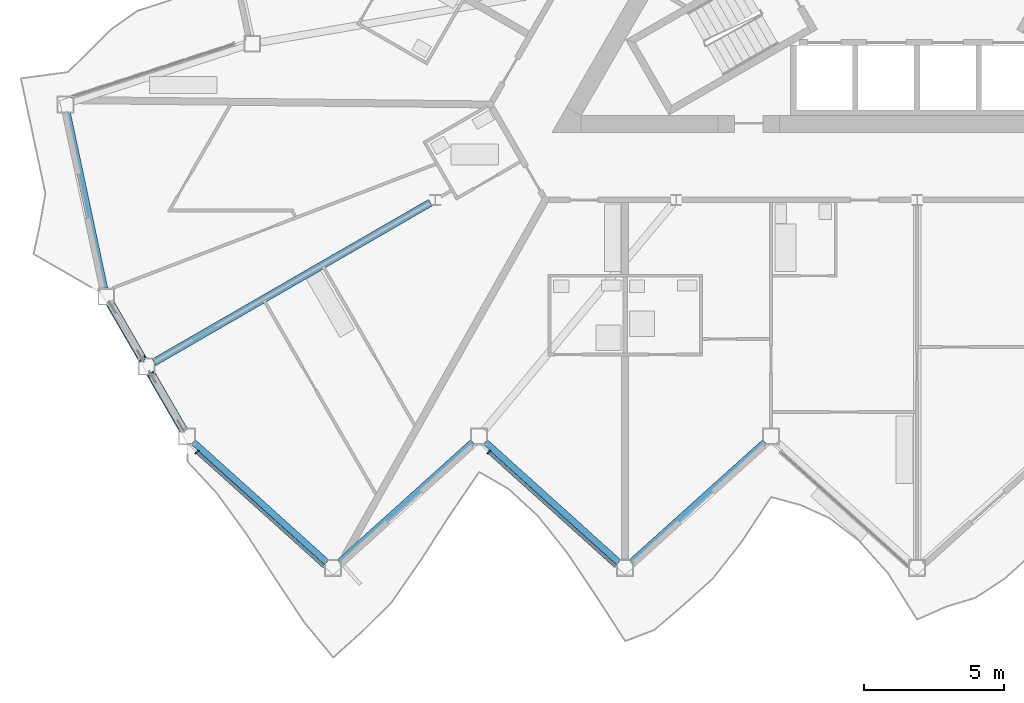
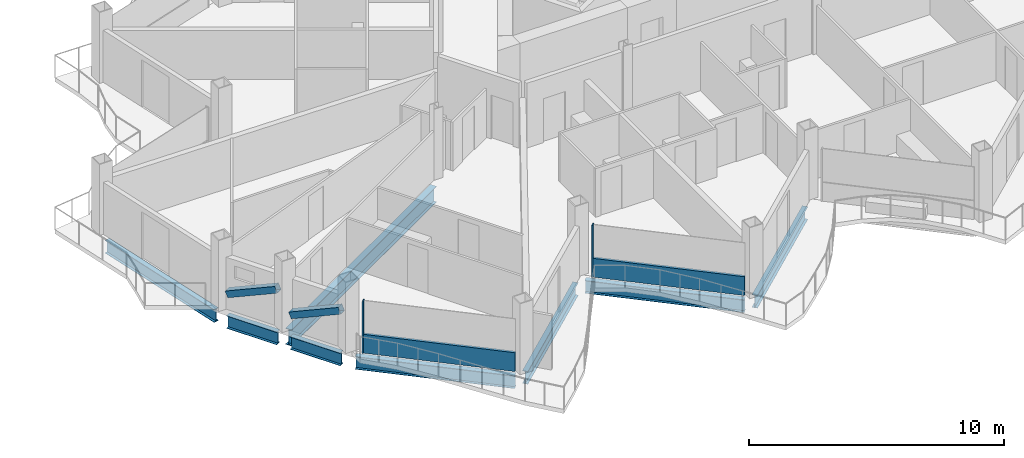
# One storey, part 4 of 27: 8 beams, 6 members, 2 elements without a shape of their own.
"""IFC4 building model written with IfcOpenShell, lengths in metres."""

from ifc_helpers import new_model, si_unit, direction, frame, origin, origin_2d, place, context, subcontext, project, spatial, rectangle, hollow_rectangle, i_section, extrude, material, layer, layer_set, material_profile, profile_set, type_object, element, aggregate, save


model = new_model("IFC4")

# Units and contexts
model_context = context("Model", 3, precision=1e-05, world=origin(), true_north=direction((0.0, 1.0)))
body_context = subcontext(model_context, "Body", "Model", "MODEL_VIEW")
ifc_project = project(units=[si_unit("LENGTHUNIT", "METRE"), si_unit("AREAUNIT", "SQUARE_METRE"), si_unit("VOLUMEUNIT", "CUBIC_METRE"), si_unit("PLANEANGLEUNIT", "RADIAN"), si_unit("MASSUNIT", "GRAM", prefix="KILO")], contexts=[model_context])

# Site, building, storey
site_placement = place(None, origin())
site = spatial("IfcSite", under=ifc_project, at=site_placement, CompositionType="ELEMENT")
building_placement = place(site_placement, origin())
building = spatial("IfcBuilding", under=site, at=building_placement, Name="Cormorant Prow Tower", CompositionType="ELEMENT")
storey_placement = place(building_placement, frame((0.0, 0.0, 335.800048828125)))
storey = spatial("IfcBuildingStorey", under=building, at=storey_placement, Name="L75", CompositionType="ELEMENT", Elevation=335.800048828125)

# Members
ifc_material_1 = material(Name="Structural steel ASTM A500 Gr C", Category="steel")
ifc_material_profile_1 = material_profile(ifc_material_1, hollow_rectangle(XDim=0.3046875, YDim=0.3046875, WallThickness=0.01171875, at=origin_2d()), Name="HSS12x12x1/2")
ifc_profile_set_1 = profile_set([ifc_material_profile_1], Name="Structural steel ASTM A500 Gr C")
member_type_1 = type_object("IfcMemberType", Name="Chamfer brace HSS12x12x1/2", PredefinedType="BRACE", material=ifc_profile_set_1)
for number, where, z_axis, x_axis, name in (
    (1, (-28.711669921875, -13.621826171875, 0.740966796875), (0.456247183882, -0.790292391402, 0.408994429415), (0.866038851724, 0.499976706761, 0.0), "Chamfer brace BR3 at WSW00 L75"),
    (2, (-27.27490234375, -16.110595703125, 0.740966796875), (0.456247183882, -0.790292391402, 0.408994429415), (0.866038851724, 0.499976706761, 0.0), "Chamfer brace BR3 at WSW01 L75"),
):
    element("IfcMember", number, at=place(storey_placement, frame(where, z_axis=z_axis, x_axis=x_axis)), inside=storey, type_object=member_type_1, Name=name, PredefinedType="BRACE", context=body_context, shape_type="SweptSolid", body=[
        extrude(hollow_rectangle(XDim=0.3046875, YDim=0.3046875, WallThickness=0.01171875, at=origin_2d()), origin(), (0.0, 0.0, 1.0), 2.459228515625),
    ])

# Beam
ifc_material_2 = material(Name="Structural steel ASTM A992 Gr 50", Category="steel")
ifc_material_profile_2 = material_profile(ifc_material_2, i_section(OverallWidth=0.267822265625, OverallDepth=0.77001953125, WebThickness=0.015625, FlangeThickness=0.025390625, at=origin_2d()), Name="W30x132")
ifc_profile_set_2 = profile_set([ifc_material_profile_2], Name="Structural steel ASTM A992 Gr 50")
beam_type_1 = type_object("IfcBeamType", Name="Radial floor beam W30x132", PredefinedType="BEAM", material=ifc_profile_set_2)
beam_1_placement = place(storey_placement, frame((-17.328125, -10.00439453125, -0.68505859375), z_axis=(-0.866024637028, -0.500001328059, 0.0), x_axis=(0.500001328059, -0.866024637028, 0.0)))
element("IfcBeam", 3, at=beam_1_placement, inside=storey, type_object=beam_type_1, Name="Radial floor beam FB3 5 L75", PredefinedType="BEAM", context=body_context, shape_type="SweptSolid", body=[
    extrude(i_section(OverallWidth=0.267822265625, OverallDepth=0.77001953125, WebThickness=0.015625, FlangeThickness=0.025390625, at=origin_2d()), origin(), (0.0, 0.0, 1.0), 11.3671875),
])

# Curtain wall, member
ifc_material_3 = material(Name="Aluminium 6063-T6", Category="aluminium")
ifc_layer = layer(ifc_material_3, 0.159912109375)
ifc_layer_set = layer_set([ifc_layer], Name="Aluminium 6063-T6")
curtain_wall_type = type_object("IfcCurtainWallType", Name="Residential unitised curtain wall 160", PredefinedType="NOTDEFINED", material=ifc_layer_set)
curtain_wall_1_placement = place(storey_placement, origin())
curtain_wall_1 = element("IfcCurtainWall", 4, at=curtain_wall_1_placement, inside=storey, type_object=curtain_wall_type, Name="Residential curtain wall S00", PredefinedType="NOTDEFINED")
ifc_material_4 = material(Name="Aluminium 6063-T6", Category="aluminium")
ifc_material_profile_3 = material_profile(ifc_material_4, rectangle(XDim=0.159912109375, YDim=0.050048828125, at=origin_2d()), Name="Residential mullion 50x160")
ifc_profile_set_3 = profile_set([ifc_material_profile_3], Name="Aluminium 6063-T6")
member_type_2 = type_object("IfcMemberType", Name="Residential mullion 50x160", PredefinedType="MULLION", material=ifc_profile_set_3)
member_1_placement = place(storey_placement, frame((-25.640380859375, -18.885009765625, 0.0), z_axis=(0.0, 0.0, 1.0), x_axis=(0.669130588628, 0.743144841442, 0.0)))
member_1 = element("IfcMember", 5, at=member_1_placement, type_object=member_type_2, Name="Residential mullion S00", PredefinedType="MULLION", context=body_context, shape_type="SweptSolid", body=[
    extrude(rectangle(XDim=0.159912109375, YDim=0.050048828125, at=origin_2d()), origin(), (0.0, 0.0, 1.0), 2.48779296875),
])

curtain_wall_2_placement = place(storey_placement, origin())
curtain_wall_2 = element("IfcCurtainWall", 6, at=curtain_wall_2_placement, inside=storey, type_object=curtain_wall_type, Name="Residential curtain wall S02", PredefinedType="NOTDEFINED")
member_2_placement = place(storey_placement, frame((-15.247802734375, -18.885009765625, 0.0), z_axis=(0.0, 0.0, 1.0), x_axis=(0.669130588628, 0.743144841442, 0.0)))
member_2 = element("IfcMember", 7, at=member_2_placement, type_object=member_type_2, Name="Residential mullion S02", PredefinedType="MULLION", context=body_context, shape_type="SweptSolid", body=[
    extrude(rectangle(XDim=0.159912109375, YDim=0.050048828125, at=origin_2d()), origin(), (0.0, 0.0, 1.0), 2.48779296875),
])

# Member
ifc_material_5 = material(Name="Terracotta", Category="masonry")
ifc_material_profile_4 = material_profile(ifc_material_5, rectangle(XDim=0.1201171875, YDim=0.89990234375, at=origin_2d()), Name="Residential terracotta spandrel rail 120x900")
ifc_profile_set_4 = profile_set([ifc_material_profile_4], Name="Terracotta")
member_type_3 = type_object("IfcMemberType", Name="Residential terracotta spandrel rail 120x900", PredefinedType="USERDEFINED", material=ifc_profile_set_4)
member_3_placement = place(storey_placement, frame((-25.62158203125, -18.901611328125, 0.449951171875), z_axis=(0.743136238665, -0.669140142857, 0.0), x_axis=(0.669140142857, 0.743136238665, 0.0)))
member_3 = element("IfcMember", 8, at=member_3_placement, type_object=member_type_3, Name="Residential spandrel rail S00", ObjectType="TRANSOM", PredefinedType="USERDEFINED", context=body_context, shape_type="SweptSolid", body=[
    extrude(rectangle(XDim=0.1201171875, YDim=0.89990234375, at=origin_2d()), origin(), (0.0, 0.0, 1.0), 6.07421875),
])

aggregate(curtain_wall_1, [member_1, member_3])

member_4_placement = place(storey_placement, frame((-15.229248046875, -18.901611328125, 0.449951171875), z_axis=(0.743154234406, -0.669120156538, 0.0), x_axis=(0.669120156538, 0.743154234406, 0.0)))
member_4 = element("IfcMember", 9, at=member_4_placement, type_object=member_type_3, Name="Residential spandrel rail S02", ObjectType="TRANSOM", PredefinedType="USERDEFINED", context=body_context, shape_type="SweptSolid", body=[
    extrude(rectangle(XDim=0.1201171875, YDim=0.89990234375, at=origin_2d()), origin(), (0.0, 0.0, 1.0), 6.07421875),
])

aggregate(curtain_wall_2, [member_2, member_4])

# Beams
ifc_material_6 = material(Name="Structural steel ASTM A992 Gr 50", Category="steel")
ifc_material_profile_5 = material_profile(ifc_material_6, i_section(OverallWidth=0.22900390625, OverallDepth=0.612060546875, WebThickness=0.011962890625, FlangeThickness=0.01953125, at=origin_2d()), Name="W24x84")
ifc_profile_set_5 = profile_set([ifc_material_profile_5], Name="Structural steel ASTM A992 Gr 50")
beam_type_2 = type_object("IfcBeamType", Name="Spandrel beam W24x84", PredefinedType="SPANDREL", material=ifc_profile_set_5)
beam_2_placement = place(storey_placement, frame((-25.7724609375, -18.527587890625, -0.606201171875), z_axis=(0.743144186555, -0.669131315954, 0.0), x_axis=(0.669131315954, 0.743144186555, 0.0)))
element("IfcBeam", 10, at=beam_2_placement, inside=storey, type_object=beam_type_2, Name="Spandrel beam SB3 S00-S01 L75", PredefinedType="SPANDREL", context=body_context, shape_type="SweptSolid", body=[
    extrude(i_section(OverallWidth=0.22900390625, OverallDepth=0.612060546875, WebThickness=0.011962890625, FlangeThickness=0.01953125, at=origin_2d()), origin(), (0.0, 0.0, 1.0), 6.39599609375),
])
beam_3_placement = place(storey_placement, frame((-20.573486328125, -22.807373046875, -0.606201171875), z_axis=(0.743161276225, 0.669112335502, 0.0), x_axis=(-0.669112335502, 0.743161276225, 0.0)))
element("IfcBeam", 11, at=beam_3_placement, inside=storey, type_object=beam_type_2, Name="Spandrel beam SB3 S01-S02 L75", PredefinedType="SPANDREL", context=body_context, shape_type="SweptSolid", body=[
    extrude(i_section(OverallWidth=0.22900390625, OverallDepth=0.612060546875, WebThickness=0.011962890625, FlangeThickness=0.01953125, at=origin_2d()), origin(), (0.0, 0.0, 1.0), 6.396240234375),
])
for number, where, z_axis, x_axis, name in (
    (12, (-15.374267578125, -18.527587890625, -0.606201171875), (0.743144186555, -0.669131315954, 0.0), (0.669131315954, 0.743144186555, 0.0), "Spandrel beam SB3 S02-S03 L75"),
    (13, (-10.17529296875, -22.807373046875, -0.606201171875), (0.743144186555, 0.669131315954, 0.0), (-0.669131315954, 0.743144186555, 0.0), "Spandrel beam SB3 S03-S04 L75"),
):
    element("IfcBeam", number, at=place(storey_placement, frame(where, z_axis=z_axis, x_axis=x_axis)), inside=storey, type_object=beam_type_2, Name=name, PredefinedType="SPANDREL", context=body_context, shape_type="SweptSolid", body=[
        extrude(i_section(OverallWidth=0.22900390625, OverallDepth=0.612060546875, WebThickness=0.011962890625, FlangeThickness=0.01953125, at=origin_2d()), origin(), (0.0, 0.0, 1.0), 6.39599609375),
    ])
beam_4_placement = place(storey_placement, frame((-30.261474609375, -6.799560546875, -0.606201171875), z_axis=(0.20791262393, -0.978147402394, 0.0), x_axis=(0.978147402394, 0.20791262393, 0.0)))
element("IfcBeam", 14, at=beam_4_placement, inside=storey, type_object=beam_type_2, Name="Spandrel beam SB3 WNW09-WSW00 L75", PredefinedType="SPANDREL", context=body_context, shape_type="SweptSolid", body=[
    extrude(i_section(OverallWidth=0.22900390625, OverallDepth=0.612060546875, WebThickness=0.011962890625, FlangeThickness=0.01953125, at=origin_2d()), origin(), (0.0, 0.0, 1.0), 6.396240234375),
])
beam_5_placement = place(storey_placement, frame((-28.71923828125, -13.609130859375, -0.606201171875), z_axis=(0.500053962254, -0.865994246421, 0.0), x_axis=(0.865994246421, 0.500053962254, 0.0)))
element("IfcBeam", 15, at=beam_5_placement, inside=storey, type_object=beam_type_2, Name="Spandrel beam SB3 WSW00-WSW01 L75", PredefinedType="SPANDREL", context=body_context, shape_type="SweptSolid", body=[
    extrude(i_section(OverallWidth=0.22900390625, OverallDepth=0.612060546875, WebThickness=0.011962890625, FlangeThickness=0.01953125, at=origin_2d()), origin(), (0.0, 0.0, 1.0), 2.273681640625),
])
beam_6_placement = place(storey_placement, frame((-27.2822265625, -16.097900390625, -0.606201171875), z_axis=(0.49997342893, -0.866040744055, 0.0), x_axis=(0.866040744055, 0.49997342893, 0.0)))
element("IfcBeam", 16, at=beam_6_placement, inside=storey, type_object=beam_type_2, Name="Spandrel beam SB3 WSW01-S00 L75", PredefinedType="SPANDREL", context=body_context, shape_type="SweptSolid", body=[
    extrude(i_section(OverallWidth=0.22900390625, OverallDepth=0.612060546875, WebThickness=0.011962890625, FlangeThickness=0.01953125, at=origin_2d()), origin(), (0.0, 0.0, 1.0), 2.2734375),
])

save(model, "model.ifc")
